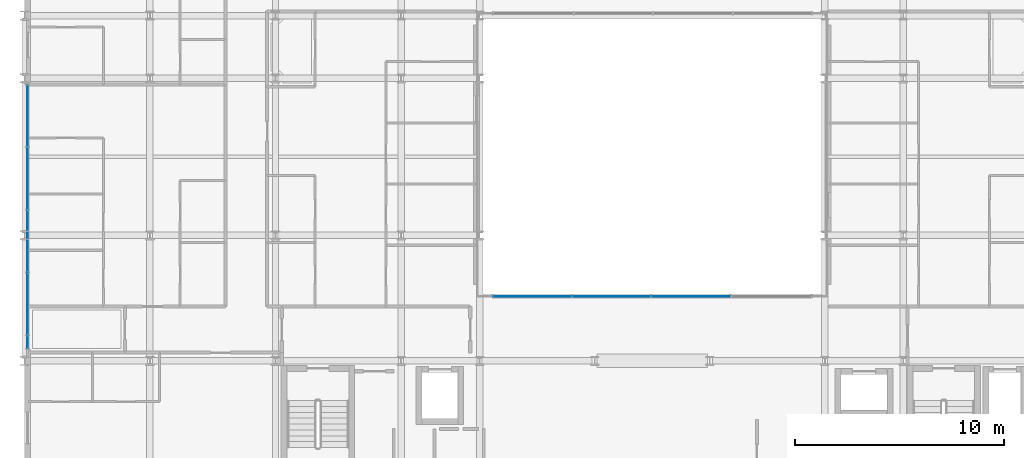
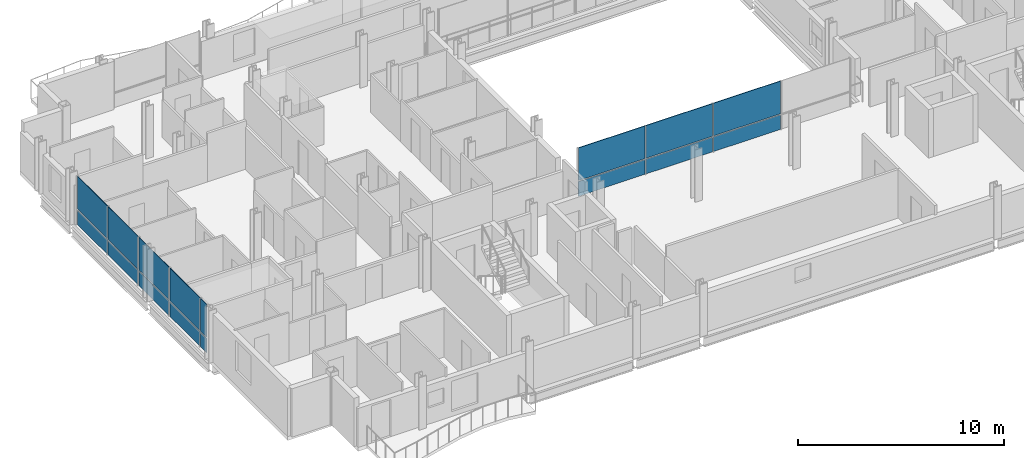
# One storey, part 26 of 41: 16 plates, 2 elements without a shape of their own.
"""IFC4 building model written with IfcOpenShell, lengths in metres."""

from ifc_helpers import new_model, si_unit, direction, frame, origin, origin_2d, place, context, subcontext, project, spatial, rectangle, extrude, material, layer, layer_set, type_object, element, aggregate, save


model = new_model("IFC4")

# Units and contexts
model_context = context("Model", 3, precision=1e-05, world=origin(), true_north=direction((0.0, 1.0)))
body_context = subcontext(model_context, "Body", "Model", "MODEL_VIEW")
ifc_project = project(units=[si_unit("LENGTHUNIT", "METRE"), si_unit("AREAUNIT", "SQUARE_METRE"), si_unit("VOLUMEUNIT", "CUBIC_METRE"), si_unit("PLANEANGLEUNIT", "RADIAN"), si_unit("MASSUNIT", "GRAM", prefix="KILO")], contexts=[model_context])

# Site, building, storey
site_placement = place(None, origin())
site = spatial("IfcSite", under=ifc_project, at=site_placement, CompositionType="ELEMENT")
building_placement = place(site_placement, origin())
building = spatial("IfcBuilding", under=site, at=building_placement, Name="Brevholm Reach", CompositionType="ELEMENT")
storey_placement = place(building_placement, frame((0.0, 0.0, 74.5)))
storey = spatial("IfcBuildingStorey", under=building, at=storey_placement, Name="L21", CompositionType="ELEMENT", Elevation=74.5)

# Curtain wall, plates
ifc_material_1 = material(Name="Dark Anodised Aluminium 6063-T6 and Solar-Control Glass", Category="aluminium")
ifc_layer_1 = layer(ifc_material_1, 0.14990234375)
ifc_layer_set_1 = layer_set([ifc_layer_1], Name="Dark Anodised Aluminium 6063-T6 and Solar-Control Glass")
curtain_wall_type_1 = type_object("IfcCurtainWallType", Name="CW-01", PredefinedType="NOTDEFINED", material=ifc_layer_set_1)
curtain_wall_1_placement = place(storey_placement, origin())
curtain_wall_1 = element("IfcCurtainWall", 1, at=curtain_wall_1_placement, inside=storey, type_object=curtain_wall_type_1, Name="L21 Curtain Wall CW-01", PredefinedType="NOTDEFINED")
ifc_material_2 = material(Name="Dark Solar-Control Double-Glazed IGU Glass", Category="glass")
ifc_layer_2 = layer(ifc_material_2, 0.028076171875)
ifc_layer_set_2 = layer_set([ifc_layer_2], Name="Dark Solar-Control Double-Glazed IGU Glass")
plate_type_1 = type_object("IfcPlateType", Name="CWP-GLZ-28", PredefinedType="CURTAIN_PANEL", material=ifc_layer_set_2)
plate_1_placement = place(storey_placement, frame((0.14990234375, 21.703857421875, 0.0), z_axis=(0.0, 0.0, 1.0), x_axis=(0.0, -1.0, 0.0)))
plate_1 = element("IfcPlate", 2, at=plate_1_placement, type_object=plate_type_1, Name="CP-01 Glazing Panel 1.1", PredefinedType="CURTAIN_PANEL", context=body_context, shape_type="SweptSolid", body=[
    extrude(rectangle(XDim=2.902587890625, YDim=0.028076171875, at=origin_2d()), origin(), (0.0, 0.0, 1.0), 0.867431640625),
])
plate_2_placement = place(storey_placement, frame((0.14990234375, 21.703857421875, 0.9326171875), z_axis=(0.0, 0.0, 1.0), x_axis=(0.0, -1.0, 0.0)))
plate_2 = element("IfcPlate", 3, at=plate_2_placement, type_object=plate_type_1, Name="CP-01 Glazing Panel 1.2", PredefinedType="CURTAIN_PANEL", context=body_context, shape_type="SweptSolid", body=[
    extrude(rectangle(XDim=2.902587890625, YDim=0.028076171875, at=origin_2d()), origin(), (0.0, 0.0, 1.0), 1.9375),
])
plate_3_placement = place(storey_placement, frame((0.14990234375, 18.719970703125, 0.0), z_axis=(0.0, 0.0, 1.0), x_axis=(0.0, -1.0, 0.0)))
plate_3 = element("IfcPlate", 4, at=plate_3_placement, type_object=plate_type_1, Name="CP-01 Glazing Panel 2.1", PredefinedType="CURTAIN_PANEL", context=body_context, shape_type="SweptSolid", body=[
    extrude(rectangle(XDim=2.93505859375, YDim=0.028076171875, at=origin_2d()), origin(), (0.0, 0.0, 1.0), 0.867431640625),
])
plate_4_placement = place(storey_placement, frame((0.14990234375, 18.719970703125, 0.9326171875), z_axis=(0.0, 0.0, 1.0), x_axis=(0.0, -1.0, 0.0)))
plate_4 = element("IfcPlate", 5, at=plate_4_placement, type_object=plate_type_1, Name="CP-01 Glazing Panel 2.2", PredefinedType="CURTAIN_PANEL", context=body_context, shape_type="SweptSolid", body=[
    extrude(rectangle(XDim=2.93505859375, YDim=0.028076171875, at=origin_2d()), origin(), (0.0, 0.0, 1.0), 1.9375),
])
plate_5_placement = place(storey_placement, frame((0.14990234375, 15.719970703125, 0.0), z_axis=(0.0, 0.0, 1.0), x_axis=(0.0, -1.0, 0.0)))
plate_5 = element("IfcPlate", 6, at=plate_5_placement, type_object=plate_type_1, Name="CP-01 Glazing Panel 3.1", PredefinedType="CURTAIN_PANEL", context=body_context, shape_type="SweptSolid", body=[
    extrude(rectangle(XDim=2.93505859375, YDim=0.028076171875, at=origin_2d()), origin(), (0.0, 0.0, 1.0), 0.867431640625),
])
plate_6_placement = place(storey_placement, frame((0.14990234375, 15.719970703125, 0.9326171875), z_axis=(0.0, 0.0, 1.0), x_axis=(0.0, -1.0, 0.0)))
plate_6 = element("IfcPlate", 7, at=plate_6_placement, type_object=plate_type_1, Name="CP-01 Glazing Panel 3.2", PredefinedType="CURTAIN_PANEL", context=body_context, shape_type="SweptSolid", body=[
    extrude(rectangle(XDim=2.93505859375, YDim=0.028076171875, at=origin_2d()), origin(), (0.0, 0.0, 1.0), 1.9375),
])
plate_7_placement = place(storey_placement, frame((0.14990234375, 12.719970703125, 0.0), z_axis=(0.0, 0.0, 1.0), x_axis=(0.0, -1.0, 0.0)))
plate_7 = element("IfcPlate", 8, at=plate_7_placement, type_object=plate_type_1, Name="CP-01 Glazing Panel 4.1", PredefinedType="CURTAIN_PANEL", context=body_context, shape_type="SweptSolid", body=[
    extrude(rectangle(XDim=2.93505859375, YDim=0.028076171875, at=origin_2d()), origin(), (0.0, 0.0, 1.0), 0.867431640625),
])
plate_8_placement = place(storey_placement, frame((0.14990234375, 12.719970703125, 0.9326171875), z_axis=(0.0, 0.0, 1.0), x_axis=(0.0, -1.0, 0.0)))
plate_8 = element("IfcPlate", 9, at=plate_8_placement, type_object=plate_type_1, Name="CP-01 Glazing Panel 4.2", PredefinedType="CURTAIN_PANEL", context=body_context, shape_type="SweptSolid", body=[
    extrude(rectangle(XDim=2.93505859375, YDim=0.028076171875, at=origin_2d()), origin(), (0.0, 0.0, 1.0), 1.9375),
])
plate_9_placement = place(storey_placement, frame((0.14990234375, 10.9013671875, 0.0), z_axis=(0.0, 0.0, 1.0), x_axis=(0.0, -1.0, 0.0)))
plate_9 = element("IfcPlate", 10, at=plate_9_placement, type_object=plate_type_1, Name="CP-01 Glazing Panel 5.1", PredefinedType="CURTAIN_PANEL", context=body_context, shape_type="SweptSolid", body=[
    extrude(rectangle(XDim=0.572509765625, YDim=0.028076171875, at=origin_2d()), origin(), (0.0, 0.0, 1.0), 0.867431640625),
])
plate_10_placement = place(storey_placement, frame((0.14990234375, 10.9013671875, 0.9326171875), z_axis=(0.0, 0.0, 1.0), x_axis=(0.0, -1.0, 0.0)))
plate_10 = element("IfcPlate", 11, at=plate_10_placement, type_object=plate_type_1, Name="CP-01 Glazing Panel 5.2", PredefinedType="CURTAIN_PANEL", context=body_context, shape_type="SweptSolid", body=[
    extrude(rectangle(XDim=0.572509765625, YDim=0.028076171875, at=origin_2d()), origin(), (0.0, 0.0, 1.0), 1.9375),
])
aggregate(curtain_wall_1, [plate_1, plate_2, plate_3, plate_4, plate_5, plate_6, plate_7, plate_8, plate_9, plate_10])

ifc_material_3 = material(Name="Dark Anodised Aluminium 6063-T6 and Solar-Control Glass", Category="aluminium")
ifc_layer_3 = layer(ifc_material_3, 0.139892578125)
ifc_layer_set_3 = layer_set([ifc_layer_3], Name="Dark Anodised Aluminium 6063-T6 and Solar-Control Glass")
curtain_wall_type_2 = type_object("IfcCurtainWallType", Name="CW-02", PredefinedType="NOTDEFINED", material=ifc_layer_set_3)
curtain_wall_2_placement = place(storey_placement, origin())
curtain_wall_2 = element("IfcCurtainWall", 12, at=curtain_wall_2_placement, inside=storey, type_object=curtain_wall_type_2, Name="L21 Curtain Wall CW-02", PredefinedType="NOTDEFINED")
ifc_material_4 = material(Name="Low-Iron Laminated Acoustic Glass", Category="glass")
ifc_layer_4 = layer(ifc_material_4, 0.035888671875)
ifc_layer_set_4 = layer_set([ifc_layer_4], Name="Low-Iron Laminated Acoustic Glass")
plate_type_2 = type_object("IfcPlateType", Name="CWP-GLZ-36", PredefinedType="CURTAIN_PANEL", material=ifc_layer_set_4)
plate_11_placement = place(storey_placement, frame((24.264892578125, 13.080078125, 0.0), z_axis=(0.0, 0.0, 1.0), x_axis=(1.0, 0.0, 0.0)))
plate_11 = element("IfcPlate", 13, at=plate_11_placement, type_object=plate_type_2, Name="CP-02 Glazing Panel 1.1", PredefinedType="CURTAIN_PANEL", context=body_context, shape_type="SweptSolid", body=[
    extrude(rectangle(XDim=3.7099609375, YDim=0.035888671875, at=origin_2d()), origin(), (0.0, 0.0, 1.0), 0.8701171875),
])
plate_12_placement = place(storey_placement, frame((24.264892578125, 13.080078125, 0.929931640625), z_axis=(0.0, 0.0, 1.0), x_axis=(1.0, 0.0, 0.0)))
plate_12 = element("IfcPlate", 14, at=plate_12_placement, type_object=plate_type_2, Name="CP-02 Glazing Panel 1.2", PredefinedType="CURTAIN_PANEL", context=body_context, shape_type="SweptSolid", body=[
    extrude(rectangle(XDim=3.7099609375, YDim=0.035888671875, at=origin_2d()), origin(), (0.0, 0.0, 1.0), 1.93994140625),
])
plate_13_placement = place(storey_placement, frame((28.050048828125, 13.080078125, 0.0), z_axis=(0.0, 0.0, 1.0), x_axis=(1.0, 0.0, 0.0)))
plate_13 = element("IfcPlate", 15, at=plate_13_placement, type_object=plate_type_2, Name="CP-02 Glazing Panel 2.1", PredefinedType="CURTAIN_PANEL", context=body_context, shape_type="SweptSolid", body=[
    extrude(rectangle(XDim=3.739990234375, YDim=0.035888671875, at=origin_2d()), origin(), (0.0, 0.0, 1.0), 0.8701171875),
])
plate_14_placement = place(storey_placement, frame((28.050048828125, 13.080078125, 0.929931640625), z_axis=(0.0, 0.0, 1.0), x_axis=(1.0, 0.0, 0.0)))
plate_14 = element("IfcPlate", 16, at=plate_14_placement, type_object=plate_type_2, Name="CP-02 Glazing Panel 2.2", PredefinedType="CURTAIN_PANEL", context=body_context, shape_type="SweptSolid", body=[
    extrude(rectangle(XDim=3.739990234375, YDim=0.035888671875, at=origin_2d()), origin(), (0.0, 0.0, 1.0), 1.93994140625),
])
plate_15_placement = place(storey_placement, frame((31.85009765625, 13.080078125, 0.0), z_axis=(0.0, 0.0, 1.0), x_axis=(1.0, 0.0, 0.0)))
plate_15 = element("IfcPlate", 17, at=plate_15_placement, type_object=plate_type_2, Name="CP-02 Glazing Panel 3.1", PredefinedType="CURTAIN_PANEL", context=body_context, shape_type="SweptSolid", body=[
    extrude(rectangle(XDim=3.739990234375, YDim=0.035888671875, at=origin_2d()), origin(), (0.0, 0.0, 1.0), 0.8701171875),
])
plate_16_placement = place(storey_placement, frame((31.85009765625, 13.080078125, 0.929931640625), z_axis=(0.0, 0.0, 1.0), x_axis=(1.0, 0.0, 0.0)))
plate_16 = element("IfcPlate", 18, at=plate_16_placement, type_object=plate_type_2, Name="CP-02 Glazing Panel 3.2", PredefinedType="CURTAIN_PANEL", context=body_context, shape_type="SweptSolid", body=[
    extrude(rectangle(XDim=3.739990234375, YDim=0.035888671875, at=origin_2d()), origin(), (0.0, 0.0, 1.0), 1.93994140625),
])
aggregate(curtain_wall_2, [plate_11, plate_12, plate_13, plate_14, plate_15, plate_16])

save(model, "model.ifc")
